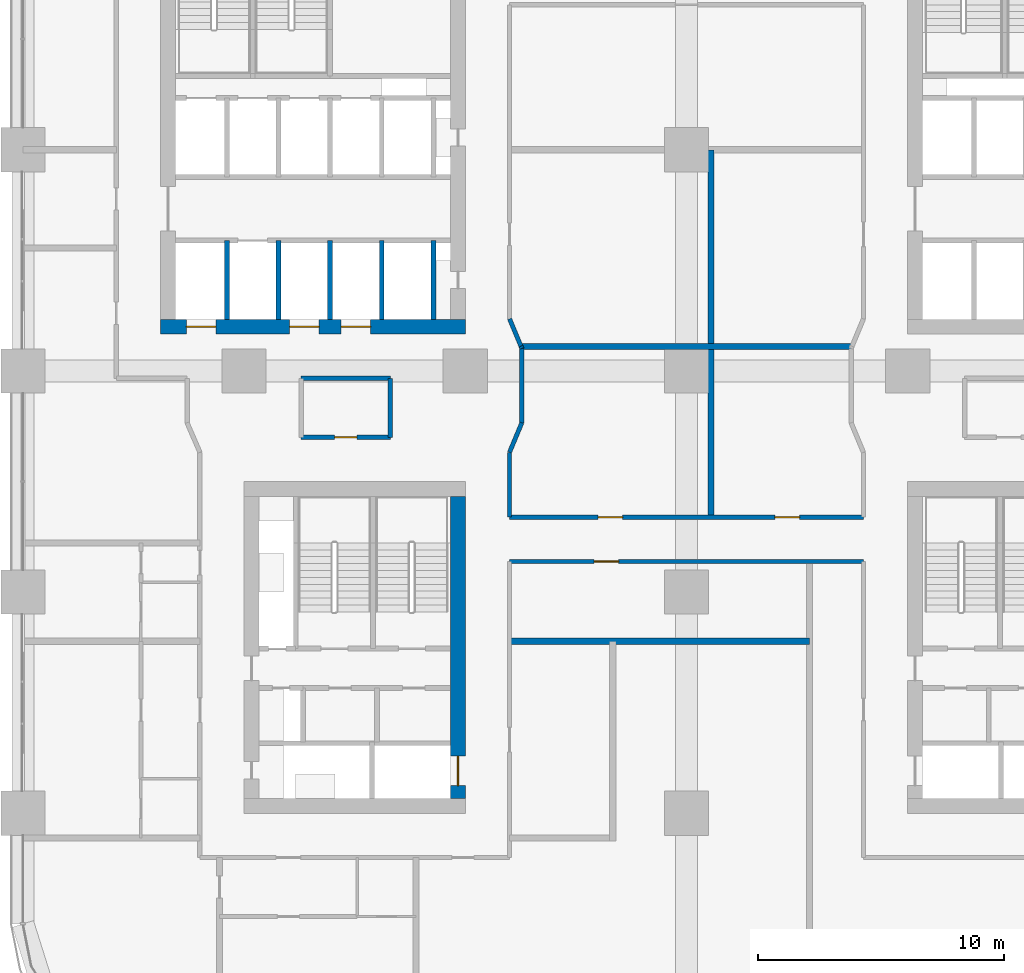
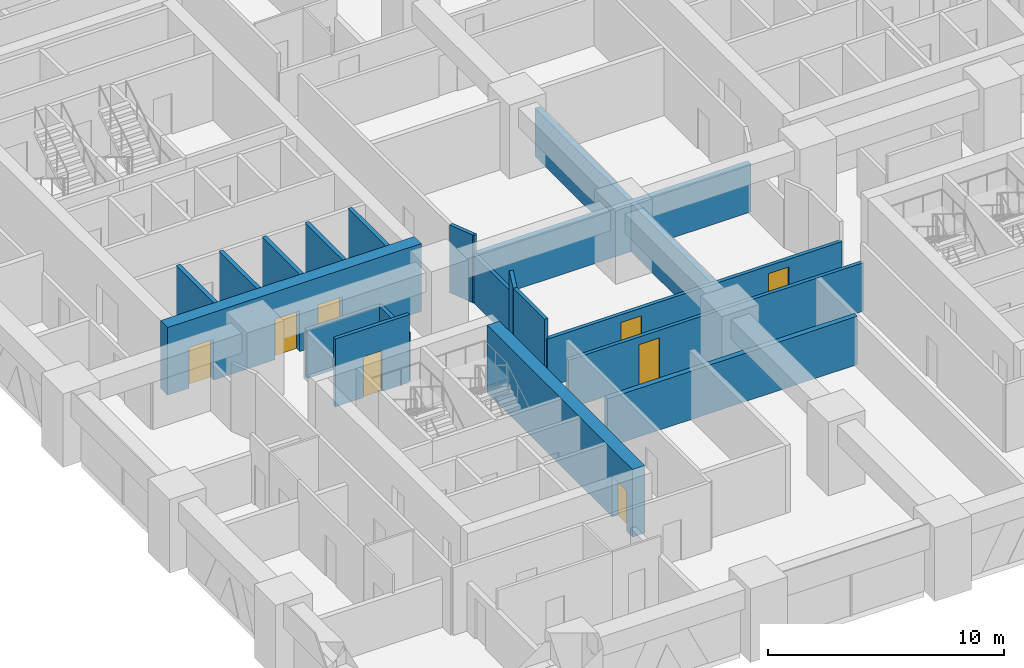
# One storey, part 14 of 23: 20 walls, 8 doors, 8 openings.
"""IFC4 building model written with IfcOpenShell, lengths in metres."""

from ifc_helpers import new_model, si_unit, direction, frame, frame_2d, origin, place, context, subcontext, project, spatial, rectangle, extrude, material, layer, layer_set, type_object, element, fill, save


model = new_model("IFC4")

# Units and contexts
model_context = context("Model", 3, precision=1e-05, world=origin(), true_north=direction((0.0, 1.0)))
body_context = subcontext(model_context, "Body", "Model", "MODEL_VIEW")
ifc_project = project(units=[si_unit("LENGTHUNIT", "METRE"), si_unit("AREAUNIT", "SQUARE_METRE"), si_unit("VOLUMEUNIT", "CUBIC_METRE"), si_unit("PLANEANGLEUNIT", "RADIAN"), si_unit("MASSUNIT", "GRAM", prefix="KILO")], contexts=[model_context])

# Site, building, storey
site_placement = place(None, origin())
site = spatial("IfcSite", under=ifc_project, at=site_placement, CompositionType="ELEMENT")
building_placement = place(site_placement, origin())
building = spatial("IfcBuilding", under=site, at=building_placement, Name="Tessera Arch", CompositionType="ELEMENT")
storey_placement = place(building_placement, frame((0.0, 0.0, 34.800048828125)))
storey = spatial("IfcBuildingStorey", under=building, at=storey_placement, Name="L06", CompositionType="ELEMENT", Elevation=34.800048828125)

# Wall, openings, doors
ifc_material_1 = material(Name="Concrete C70/85", Category="concrete")
ifc_layer_1 = layer(ifc_material_1, 0.60009765625)
ifc_layer_set_1 = layer_set([ifc_layer_1], Name="Core shell wall 600 C70-85")
wall_type_1 = type_object("IfcWallType", Name="Core shell wall 600 C70-85", PredefinedType="SHEAR", material=ifc_layer_set_1)
wall_1_placement = place(storey_placement, frame((5.60009765625, 28.800048828125, 0.0), z_axis=(0.0, 0.0, 1.0), x_axis=(1.0, 0.0, 0.0)))
wall_1 = element("IfcWall", 1, at=wall_1_placement, inside=storey, type_object=wall_type_1, Name="L06 C2 core wall S", PredefinedType="SHEAR", context=body_context, shape_type="SweptSolid", body=[
    extrude(rectangle(XDim=12.39990234375, YDim=0.60009765625, at=frame_2d((6.199951171875, 0.0))), origin(), (0.0, 0.0, 1.0), 3.5),
])
opening_1_placement = place(wall_1_placement, frame((1.050048828125, 0.0, 0.0)))
opening_1 = element("IfcOpeningElement", 2, at=opening_1_placement, cuts=wall_1, Name="Opening L06-C14", PredefinedType="OPENING", context=body_context, shape_type="SweptSolid", body=[
    extrude(rectangle(XDim=1.199951171875, YDim=2.10009765625, at=frame_2d((0.60009765625, 1.050048828125))), frame((0.0, 0.31005859375, 0.0), z_axis=(0.0, -1.0, 0.0), x_axis=(1.0, 0.0, 0.0)), (0.0, 0.0, 1.0), 0.6201171875),
])
opening_2_placement = place(wall_1_placement, frame((5.25, 0.0, 0.0)))
opening_2 = element("IfcOpeningElement", 3, at=opening_2_placement, cuts=wall_1, Name="Opening L06-C16", PredefinedType="OPENING", context=body_context, shape_type="SweptSolid", body=[
    extrude(rectangle(XDim=1.199951171875, YDim=2.10009765625, at=frame_2d((0.60009765625, 1.050048828125))), frame((0.0, 0.31005859375, 0.0), z_axis=(0.0, -1.0, 0.0), x_axis=(1.0, 0.0, 0.0)), (0.0, 0.0, 1.0), 0.6201171875),
])
opening_3_placement = place(wall_1_placement, frame((7.35009765625, 0.0, 0.0)))
opening_3 = element("IfcOpeningElement", 4, at=opening_3_placement, cuts=wall_1, Name="Opening L06-C17", PredefinedType="OPENING", context=body_context, shape_type="SweptSolid", body=[
    extrude(rectangle(XDim=1.199951171875, YDim=2.10009765625, at=frame_2d((0.60009765625, 1.050048828125))), frame((0.0, 0.31005859375, 0.0), z_axis=(0.0, -1.0, 0.0), x_axis=(1.0, 0.0, 0.0)), (0.0, 0.0, 1.0), 0.6201171875),
])
ifc_material_2 = material(Name="Stainless steel AISI 304", Category="steel")
door_type_1 = type_object("IfcDoorType", Name="Sliding landing door 1200 x 2100", OperationType="SLIDING_TO_LEFT", PredefinedType="DOOR", material=ifc_material_2)
door_1_placement = place(opening_1_placement, origin())
door_1 = element("IfcDoor", 5, at=door_1_placement, inside=storey, type_object=door_type_1, Name="L06 LR1 lift landing door C14 type LD", OperationType="SLIDING_TO_LEFT", OverallHeight=2.10009765625, OverallWidth=1.199951171875, PredefinedType="DOOR", context=body_context, shape_type="SweptSolid", body=[
    extrude(rectangle(XDim=1.199951171875, YDim=2.10009765625, at=frame_2d((0.60009765625, 1.050048828125))), frame((0.0, 0.02490234375, 0.0), z_axis=(0.0, -1.0, 0.0), x_axis=(1.0, 0.0, 0.0)), (0.0, 0.0, 1.0), 0.050048828125),
])
fill(opening_1, door_1)
door_2_placement = place(opening_2_placement, origin())
door_2 = element("IfcDoor", 6, at=door_2_placement, inside=storey, type_object=door_type_1, Name="L06 LR3 lift landing door C16 type LD", OperationType="SLIDING_TO_LEFT", OverallHeight=2.10009765625, OverallWidth=1.199951171875, PredefinedType="DOOR", context=body_context, shape_type="SweptSolid", body=[
    extrude(rectangle(XDim=1.199951171875, YDim=2.10009765625, at=frame_2d((0.60009765625, 1.050048828125))), frame((0.0, 0.02490234375, 0.0), z_axis=(0.0, -1.0, 0.0), x_axis=(1.0, 0.0, 0.0)), (0.0, 0.0, 1.0), 0.050048828125),
])
fill(opening_2, door_2)
door_3_placement = place(opening_3_placement, origin())
door_3 = element("IfcDoor", 7, at=door_3_placement, inside=storey, type_object=door_type_1, Name="L06 LR4 lift landing door C17 type LD", OperationType="SLIDING_TO_LEFT", OverallHeight=2.10009765625, OverallWidth=1.199951171875, PredefinedType="DOOR", context=body_context, shape_type="SweptSolid", body=[
    extrude(rectangle(XDim=1.199951171875, YDim=2.10009765625, at=frame_2d((0.60009765625, 1.050048828125))), frame((0.0, 0.02490234375, 0.0), z_axis=(0.0, -1.0, 0.0), x_axis=(1.0, 0.0, 0.0)), (0.0, 0.0, 1.0), 0.050048828125),
])
fill(opening_3, door_3)

# Wall, opening, door
wall_2_placement = place(storey_placement, frame((17.699951171875, 9.60009765625, 0.0), z_axis=(0.0, 0.0, 1.0), x_axis=(0.0, 1.0, 0.0)))
wall_2 = element("IfcWall", 8, at=wall_2_placement, inside=storey, type_object=wall_type_1, Name="L06 C4 core wall E", PredefinedType="SHEAR", context=body_context, shape_type="SweptSolid", body=[
    extrude(rectangle(XDim=12.2998046875, YDim=0.60009765625, at=frame_2d((6.14990234375, 0.0))), origin(), (0.0, 0.0, 1.0), 3.5),
])
opening_4_placement = place(wall_2_placement, frame((0.52490234375, 0.0, 0.0)))
opening_4 = element("IfcOpeningElement", 9, at=opening_4_placement, cuts=wall_2, Name="Opening L06-C40", PredefinedType="OPENING", context=body_context, shape_type="SweptSolid", body=[
    extrude(rectangle(XDim=1.199951171875, YDim=2.10009765625, at=frame_2d((0.60009765625, 1.050048828125))), frame((0.0, 0.31005859375, 0.0), z_axis=(0.0, -1.0, 0.0), x_axis=(1.0, 0.0, 0.0)), (0.0, 0.0, 1.0), 0.6201171875),
])
door_4_placement = place(opening_4_placement, origin())
door_4 = element("IfcDoor", 10, at=door_4_placement, inside=storey, type_object=door_type_1, Name="L06 SV3 lift landing door C40 type LD", OperationType="SLIDING_TO_LEFT", OverallHeight=2.10009765625, OverallWidth=1.199951171875, PredefinedType="DOOR", context=body_context, shape_type="SweptSolid", body=[
    extrude(rectangle(XDim=1.199951171875, YDim=2.10009765625, at=frame_2d((0.60009765625, 1.050048828125))), frame((0.0, 0.02490234375, 0.0), z_axis=(0.0, -1.0, 0.0), x_axis=(1.0, 0.0, 0.0)), (0.0, 0.0, 1.0), 0.050048828125),
])
fill(opening_4, door_4)

ifc_material_3 = material(Name="Gypsum board on deep steel stud with mineral wool", Category="steel")
ifc_layer_2 = layer(ifc_material_3, 0.175048828125)
ifc_layer_set_2 = layer_set([ifc_layer_2], Name="Corridor wall 175 EI 60")
wall_type_2 = type_object("IfcWallType", Name="Corridor wall 175 EI 60", PredefinedType="PARTITIONING", material=ifc_layer_set_2)
wall_3_placement = place(storey_placement, frame((19.800048828125, 19.25, 0.0), z_axis=(0.0, 0.0, 1.0), x_axis=(1.0, 0.0, 0.0)))
wall_3 = element("IfcWall", 11, at=wall_3_placement, inside=storey, type_object=wall_type_2, Name="L06 partition 3", PredefinedType="PARTITIONING", context=body_context, shape_type="SweptSolid", body=[
    extrude(rectangle(XDim=14.39990234375, YDim=0.175048828125, at=frame_2d((7.199951171875, 0.0))), origin(), (0.0, 0.0, 1.0), 2.5),
])
opening_5_placement = place(wall_3_placement, frame((3.43994140625, 0.0, 0.0)))
opening_5 = element("IfcOpeningElement", 12, at=opening_5_placement, cuts=wall_3, Name="Opening L06-D016", PredefinedType="OPENING", context=body_context, shape_type="SweptSolid", body=[
    extrude(rectangle(XDim=1.0, YDim=2.10009765625, at=frame_2d((0.5, 1.050048828125))), frame((0.0, 0.097412109375, 0.0), z_axis=(0.0, -1.0, 0.0), x_axis=(1.0, 0.0, 0.0)), (0.0, 0.0, 1.0), 0.195068359375),
])
ifc_material_4 = material(Name="Fire-rated door leaf")
door_type_2 = type_object("IfcDoorType", Name="Entrance door FD30S 1000 x 2100", OperationType="SINGLE_SWING_LEFT", PredefinedType="DOOR", material=ifc_material_4)
door_5_placement = place(opening_5_placement, origin())
door_5 = element("IfcDoor", 13, at=door_5_placement, inside=storey, type_object=door_type_2, Name="L06 door D016 type D03", OperationType="SINGLE_SWING_RIGHT", OverallHeight=2.10009765625, OverallWidth=1.0, PredefinedType="DOOR", context=body_context, shape_type="SweptSolid", body=[
    extrude(rectangle(XDim=1.0, YDim=2.10009765625, at=frame_2d((0.5, 1.050048828125))), frame((0.0, 0.02490234375, 0.0), z_axis=(0.0, -1.0, 0.0), x_axis=(1.0, 0.0, 0.0)), (0.0, 0.0, 1.0), 0.050048828125),
])
fill(opening_5, door_5)

# Wall, openings, doors
wall_4_placement = place(storey_placement, frame((19.800048828125, 21.050048828125, 0.0), z_axis=(0.0, 0.0, 1.0), x_axis=(1.0, 0.0, 0.0)))
wall_4 = element("IfcWall", 14, at=wall_4_placement, inside=storey, type_object=wall_type_2, Name="L06 partition 4", PredefinedType="PARTITIONING", context=body_context, shape_type="SweptSolid", body=[
    extrude(rectangle(XDim=14.39990234375, YDim=0.175048828125, at=frame_2d((7.199951171875, 0.0))), origin(), (0.0, 0.0, 1.0), 2.5),
])
opening_6_placement = place(wall_4_placement, frame((3.60009765625, 0.0, 0.0)))
opening_6 = element("IfcOpeningElement", 15, at=opening_6_placement, cuts=wall_4, Name="Opening L06-D023", PredefinedType="OPENING", context=body_context, shape_type="SweptSolid", body=[
    extrude(rectangle(XDim=1.0, YDim=2.10009765625, at=frame_2d((0.5, 1.050048828125))), frame((0.0, 0.097412109375, 0.0), z_axis=(0.0, -1.0, 0.0), x_axis=(1.0, 0.0, 0.0)), (0.0, 0.0, 1.0), 0.195068359375),
])
opening_7_placement = place(wall_4_placement, frame((10.800048828125, 0.0, 0.0)))
opening_7 = element("IfcOpeningElement", 16, at=opening_7_placement, cuts=wall_4, Name="Opening L06-D024", PredefinedType="OPENING", context=body_context, shape_type="SweptSolid", body=[
    extrude(rectangle(XDim=1.0, YDim=2.10009765625, at=frame_2d((0.5, 1.050048828125))), frame((0.0, 0.097412109375, 0.0), z_axis=(0.0, -1.0, 0.0), x_axis=(1.0, 0.0, 0.0)), (0.0, 0.0, 1.0), 0.195068359375),
])
door_6_placement = place(opening_6_placement, origin())
door_6 = element("IfcDoor", 17, at=door_6_placement, inside=storey, type_object=door_type_2, Name="L06 door D023 type D03", OperationType="SINGLE_SWING_RIGHT", OverallHeight=2.10009765625, OverallWidth=1.0, PredefinedType="DOOR", context=body_context, shape_type="SweptSolid", body=[
    extrude(rectangle(XDim=1.0, YDim=2.10009765625, at=frame_2d((0.5, 1.050048828125))), frame((0.0, 0.02490234375, 0.0), z_axis=(0.0, -1.0, 0.0), x_axis=(1.0, 0.0, 0.0)), (0.0, 0.0, 1.0), 0.050048828125),
])
fill(opening_6, door_6)
door_7_placement = place(opening_7_placement, origin())
door_7 = element("IfcDoor", 18, at=door_7_placement, inside=storey, type_object=door_type_2, Name="L06 door D024 type D03", OperationType="SINGLE_SWING_LEFT", OverallHeight=2.10009765625, OverallWidth=1.0, PredefinedType="DOOR", context=body_context, shape_type="SweptSolid", body=[
    extrude(rectangle(XDim=1.0, YDim=2.10009765625, at=frame_2d((0.5, 1.050048828125))), frame((0.0, 0.02490234375, 0.0), z_axis=(0.0, -1.0, 0.0), x_axis=(1.0, 0.0, 0.0)), (0.0, 0.0, 1.0), 0.050048828125),
])
fill(opening_7, door_7)

# Wall, opening, door
wall_5_placement = place(storey_placement, frame((11.320068359375, 24.300048828125, 0.0), z_axis=(0.0, 0.0, 1.0), x_axis=(1.0, 0.0, 0.0)))
wall_5 = element("IfcWall", 19, at=wall_5_placement, inside=storey, type_object=wall_type_2, Name="L06 partition 5", PredefinedType="PARTITIONING", context=body_context, shape_type="SweptSolid", body=[
    extrude(rectangle(XDim=3.6298828125, YDim=0.175048828125, at=frame_2d((1.81494140625, 0.0))), origin(), (0.0, 0.0, 1.0), 3.5),
])
opening_8_placement = place(wall_5_placement, frame((1.364990234375, 0.0, 0.0)))
opening_8 = element("IfcOpeningElement", 20, at=opening_8_placement, cuts=wall_5, Name="Opening L06-D027", PredefinedType="OPENING", context=body_context, shape_type="SweptSolid", body=[
    extrude(rectangle(XDim=0.89990234375, YDim=2.10009765625, at=frame_2d((0.449951171875, 1.050048828125))), frame((0.0, 0.097412109375, 0.0), z_axis=(0.0, -1.0, 0.0), x_axis=(1.0, 0.0, 0.0)), (0.0, 0.0, 1.0), 0.195068359375),
])
ifc_material_5 = material(Name="Timber door leaf", Category="wood")
door_type_3 = type_object("IfcDoorType", Name="Room door 900 x 2100", OperationType="SINGLE_SWING_LEFT", PredefinedType="DOOR", material=ifc_material_5)
door_8_placement = place(opening_8_placement, origin())
door_8 = element("IfcDoor", 21, at=door_8_placement, inside=storey, type_object=door_type_3, Name="L06 door D027 type D01", OperationType="SINGLE_SWING_RIGHT", OverallHeight=2.10009765625, OverallWidth=0.89990234375, PredefinedType="DOOR", context=body_context, shape_type="SweptSolid", body=[
    extrude(rectangle(XDim=0.89990234375, YDim=2.10009765625, at=frame_2d((0.449951171875, 1.050048828125))), frame((0.0, 0.02490234375, 0.0), z_axis=(0.0, -1.0, 0.0), x_axis=(1.0, 0.0, 0.0)), (0.0, 0.0, 1.0), 0.050048828125),
])
fill(opening_8, door_8)

# Walls
wall_6_placement = place(storey_placement, frame((11.320068359375, 26.699951171875, 0.0), z_axis=(0.0, 0.0, 1.0), x_axis=(1.0, 0.0, 0.0)))
element("IfcWall", 22, at=wall_6_placement, inside=storey, type_object=wall_type_2, Name="L06 partition 8", PredefinedType="PARTITIONING", context=body_context, shape_type="SweptSolid", body=[
    extrude(rectangle(XDim=3.6298828125, YDim=0.175048828125, at=frame_2d((1.81494140625, 0.0))), origin(), (0.0, 0.0, 1.0), 2.5),
])
wall_7_placement = place(storey_placement, frame((14.949951171875, 24.300048828125, 0.0), z_axis=(0.0, 0.0, 1.0), x_axis=(0.0, 1.0, 0.0)))
element("IfcWall", 23, at=wall_7_placement, inside=storey, type_object=wall_type_2, Name="L06 partition 19", PredefinedType="PARTITIONING", context=body_context, shape_type="SweptSolid", body=[
    extrude(rectangle(XDim=2.39990234375, YDim=0.175048828125, at=frame_2d((1.199951171875, 0.0))), origin(), (0.0, 0.0, 1.0), 2.5),
])
wall_8_placement = place(storey_placement, frame((19.800048828125, 21.050048828125, 0.0), z_axis=(0.0, 0.0, 1.0), x_axis=(0.0, 1.0, 0.0)))
element("IfcWall", 24, at=wall_8_placement, inside=storey, type_object=wall_type_2, Name="L06 partition 21", PredefinedType="PARTITIONING", context=body_context, shape_type="SweptSolid", body=[
    extrude(rectangle(XDim=2.639892578125, YDim=0.175048828125, at=frame_2d((1.31982421875, 0.0))), origin(), (0.0, 0.0, 1.0), 3.5),
])
wall_9_placement = place(storey_placement, frame((20.300048828125, 24.889892578125, 0.0), z_axis=(0.0, 0.0, 1.0), x_axis=(0.0, 1.0, 0.0)))
element("IfcWall", 25, at=wall_9_placement, inside=storey, type_object=wall_type_2, Name="L06 partition 24", PredefinedType="PARTITIONING", context=body_context, shape_type="SweptSolid", body=[
    extrude(rectangle(XDim=3.030029296875, YDim=0.175048828125, at=frame_2d((1.51513671875, 0.0))), origin(), (0.0, 0.0, 1.0), 2.5),
])
wall_10_placement = place(storey_placement, frame((20.265869140625, 28.001708984375, 0.0), z_axis=(0.0, 0.0, 1.0), x_axis=(0.38559300399, -0.922668973833, 0.0)))
element("IfcWall", 26, at=wall_10_placement, inside=storey, type_object=wall_type_2, Name="L06 partition 82", PredefinedType="PARTITIONING", context=body_context, shape_type="SweptSolid", body=[
    extrude(rectangle(XDim=0.088623046875, YDim=0.175048828125, at=frame_2d((0.04443359375, 0.0))), origin(), (0.0, 0.0, 1.0), 3.5),
])
wall_11_placement = place(storey_placement, frame((20.300048828125, 24.889892578125, 0.0), z_axis=(0.0, 0.0, 1.0), x_axis=(-0.384628719983, -0.923071366561, 0.0)))
element("IfcWall", 27, at=wall_11_placement, inside=storey, type_object=wall_type_2, Name="L06 partition 83", PredefinedType="PARTITIONING", context=body_context, shape_type="SweptSolid", body=[
    extrude(rectangle(XDim=1.300048828125, YDim=0.175048828125, at=frame_2d((0.64990234375, 0.0))), origin(), (0.0, 0.0, 1.0), 3.5),
])
wall_12_placement = place(storey_placement, frame((19.800048828125, 29.1201171875, 0.0), z_axis=(0.0, 0.0, 1.0), x_axis=(0.384615384615, -0.923076923077, 0.0)))
element("IfcWall", 28, at=wall_12_placement, inside=storey, type_object=wall_type_2, Name="L06 partition 88", PredefinedType="PARTITIONING", context=body_context, shape_type="SweptSolid", body=[
    extrude(rectangle(XDim=1.215576171875, YDim=0.175048828125, at=frame_2d((0.60791015625, 0.0))), origin(), (0.0, 0.0, 1.0), 3.5),
])
ifc_material_6 = material(Name="Double gypsum board on twin steel stud with acoustic mineral wool", Category="steel")
ifc_layer_3 = layer(ifc_material_6, 0.25)
ifc_layer_set_3 = layer_set([ifc_layer_3], Name="Party wall 250 EI 60")
wall_type_3 = type_object("IfcWallType", Name="Party wall 250 EI 60", PredefinedType="PARTITIONING", material=ifc_layer_set_3)
wall_13_placement = place(storey_placement, frame((19.800048828125, 16.0, 0.0), z_axis=(0.0, 0.0, 1.0), x_axis=(1.0, 0.0, 0.0)))
element("IfcWall", 29, at=wall_13_placement, inside=storey, type_object=wall_type_3, Name="L06 partition 46", PredefinedType="PARTITIONING", context=body_context, shape_type="SweptSolid", body=[
    extrude(rectangle(XDim=12.199951171875, YDim=0.25, at=frame_2d((6.10009765625, 0.0))), origin(), (0.0, 0.0, 1.0), 2.5),
])
wall_14_placement = place(storey_placement, frame((20.2666015625, 28.0, 0.0), z_axis=(0.0, 0.0, 1.0), x_axis=(1.0, 0.0, 0.0)))
element("IfcWall", 30, at=wall_14_placement, inside=storey, type_object=wall_type_3, Name="L06 partition 50", PredefinedType="PARTITIONING", context=body_context, shape_type="SweptSolid", body=[
    extrude(rectangle(XDim=13.466796875, YDim=0.25, at=frame_2d((6.7333984375, 0.0))), origin(), (0.0, 0.0, 1.0), 2.5),
])
wall_15_placement = place(storey_placement, frame((28.0, 21.050048828125, 0.0), z_axis=(0.0, 0.0, 1.0), x_axis=(0.0, 1.0, 0.0)))
element("IfcWall", 31, at=wall_15_placement, inside=storey, type_object=wall_type_3, Name="L06 partition 62", PredefinedType="PARTITIONING", context=body_context, shape_type="SweptSolid", body=[
    extrude(rectangle(XDim=14.949951171875, YDim=0.25, at=frame_2d((7.47509765625, 0.0))), origin(), (0.0, 0.0, 1.0), 2.5),
])
ifc_material_7 = material(Name="Concrete C40/50", Category="concrete")
ifc_layer_4 = layer(ifc_material_7, 0.199951171875)
ifc_layer_set_4 = layer_set([ifc_layer_4], Name="Shaft wall 200 EI 120")
wall_type_4 = type_object("IfcWallType", Name="Shaft wall 200 EI 120", PredefinedType="SOLIDWALL", material=ifc_layer_set_4)
for number, where, z_axis, x_axis, name in (
    (32, (8.300048828125, 29.10009765625, 0.0), (0.0, 0.0, 1.0), (0.0, 1.0, 0.0), "L06 C2 shaft wall 1"),
    (33, (10.39990234375, 29.10009765625, 0.0), (0.0, 0.0, 1.0), (0.0, 1.0, 0.0), "L06 C2 shaft wall 5"),
    (34, (12.5, 29.10009765625, 0.0), (0.0, 0.0, 1.0), (0.0, 1.0, 0.0), "L06 C2 shaft wall 8"),
    (35, (14.60009765625, 29.10009765625, 0.0), (0.0, 0.0, 1.0), (0.0, 1.0, 0.0), "L06 C2 shaft wall 12"),
    (36, (16.699951171875, 29.10009765625, 0.0), (0.0, 0.0, 1.0), (0.0, 1.0, 0.0), "L06 C2 shaft wall 14"),
):
    element("IfcWall", number, at=place(storey_placement, frame(where, z_axis=z_axis, x_axis=x_axis)), inside=storey, type_object=wall_type_4, Name=name, PredefinedType="SOLIDWALL", context=body_context, shape_type="SweptSolid", body=[
        extrude(rectangle(XDim=3.199951171875, YDim=0.199951171875, at=frame_2d((1.60009765625, 0.0))), origin(), (0.0, 0.0, 1.0), 3.5),
    ])

save(model, "model.ifc")
